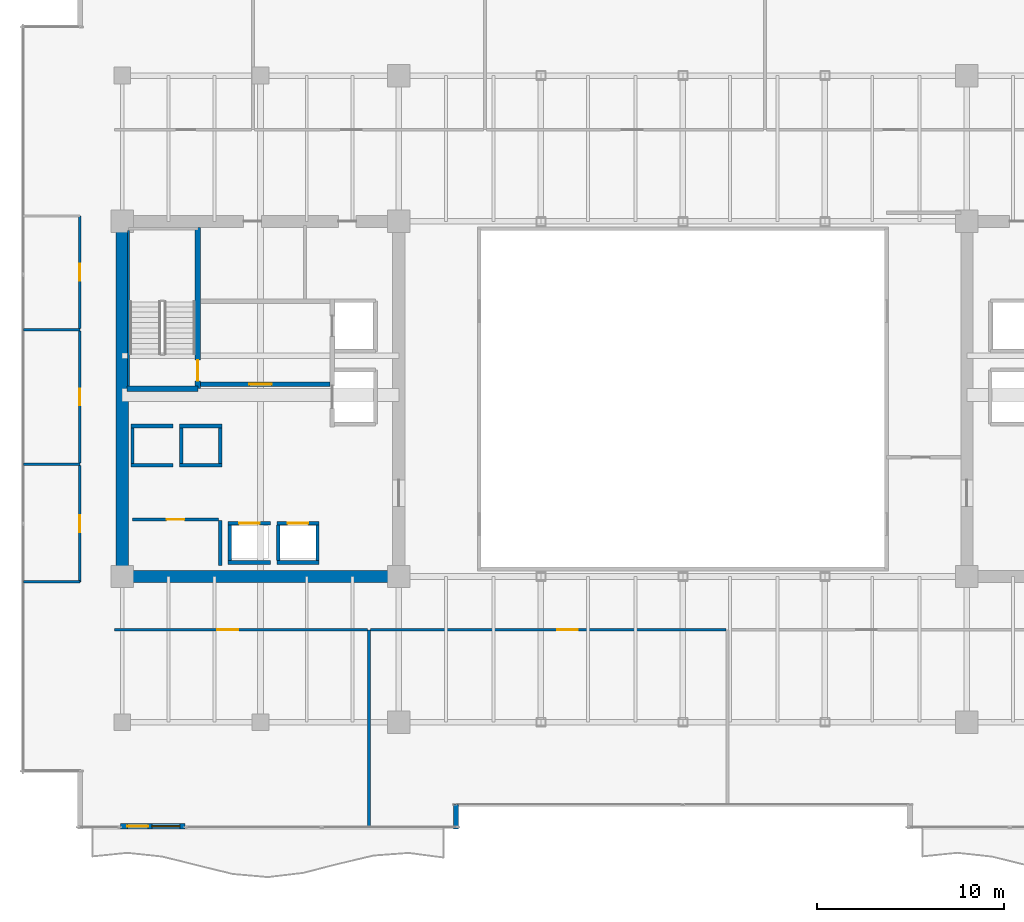
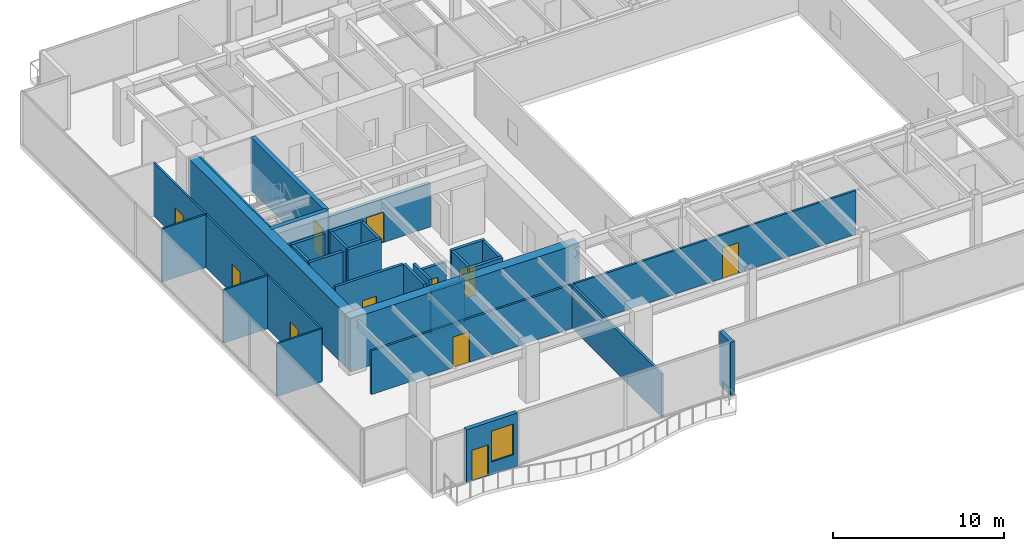
# One storey, part 23 of 30: 33 walls, 11 doors, 1 window, 12 openings.
"""IFC4 building model written with IfcOpenShell, lengths in metres."""

from ifc_helpers import new_model, si_unit, direction, frame, frame_2d, origin, place, context, subcontext, project, spatial, rectangle, extrude, source, transform, mapped, material, layer, layer_set, type_object, type_shapes, element, fill, save


model = new_model("IFC4")

# Units and contexts
model_context = context("Model", 3, precision=1e-05, world=origin(), true_north=direction((0.0, 1.0)))
body_context = subcontext(model_context, "Body", "Model", "MODEL_VIEW")
ifc_project = project(units=[si_unit("LENGTHUNIT", "METRE"), si_unit("AREAUNIT", "SQUARE_METRE"), si_unit("VOLUMEUNIT", "CUBIC_METRE"), si_unit("PLANEANGLEUNIT", "RADIAN"), si_unit("MASSUNIT", "GRAM", prefix="KILO")], contexts=[model_context])

# Site, building, storey
site_placement = place(None, origin())
site = spatial("IfcSite", under=ifc_project, at=site_placement, CompositionType="ELEMENT")
building_placement = place(site_placement, origin())
building = spatial("IfcBuilding", under=site, at=building_placement, Name="Haelvirn Gate Laboratories", CompositionType="ELEMENT")
storey_placement = place(building_placement, frame((0.0, 0.0, 113.300048828125)))
storey = spatial("IfcBuildingStorey", under=building, at=storey_placement, Name="L27", CompositionType="ELEMENT", Elevation=113.300048828125)

# Wall, openings, door, window
ifc_material_1 = material(Name="Thermally-broken bronze aluminium rainscreen & mineral wool", Category="aluminium")
ifc_layer_1 = layer(ifc_material_1, 0.280029296875, Name="EW-TERR-280")
ifc_layer_set_1 = layer_set([ifc_layer_1], Name="Thermally-broken bronze aluminium rainscreen & mineral wool")
wall_type_1 = type_object("IfcWallType", Name="EW-TERR-280", PredefinedType="STANDARD", material=ifc_layer_set_1)
wall_1_placement = place(storey_placement, frame((7.297119140625, 1.43994140625, 0.0), z_axis=(0.0, 0.0, 1.0), x_axis=(1.0, 0.0, 0.0)))
wall_1 = element("IfcWall", 1, at=wall_1_placement, inside=storey, type_object=wall_type_1, Name="L27 Terrace Access Wall WB-WL-S", PredefinedType="STANDARD", context=body_context, shape_type="SweptSolid", body=[
    extrude(rectangle(XDim=3.4609375, YDim=0.280029296875, at=frame_2d((1.73046875, 0.0))), origin(), (0.0, 0.0, 1.0), 3.7900390625),
])
opening_1_placement = place(wall_1_placement, frame((0.383056640625, 0.0, 0.0)))
opening_1 = element("IfcOpeningElement", 2, at=opening_1_placement, cuts=wall_1, Name="Opening TD1", PredefinedType="OPENING", context=body_context, shape_type="SweptSolid", body=[
    extrude(rectangle(XDim=1.10009765625, YDim=2.199951171875, at=frame_2d((0.550048828125, 1.10009765625))), frame((0.0, 0.14990234375, 0.0), z_axis=(0.0, -1.0, 0.0), x_axis=(1.0, 0.0, 0.0)), (0.0, 0.0, 1.0), 0.300048828125),
])
opening_2_placement = place(wall_1_placement, frame((1.68310546875, 0.0, 0.89990234375)))
opening_2 = element("IfcOpeningElement", 3, at=opening_2_placement, cuts=wall_1, Name="Opening W3", PredefinedType="OPENING", context=body_context, shape_type="SweptSolid", body=[
    extrude(rectangle(XDim=1.5, YDim=2.199951171875, at=frame_2d((0.75, 1.10009765625))), frame((0.0, 0.14990234375, 0.0), z_axis=(0.0, -1.0, 0.0), x_axis=(1.0, 0.0, 0.0)), (0.0, 0.0, 1.0), 0.300048828125),
])
ifc_material_2 = material(Name="Thermally-broken bronze aluminium glazed terrace door", Category="aluminium")
door_type_1 = type_object("IfcDoorType", Name="DR-TERR-1100", OperationType="NOTDEFINED", PredefinedType="DOOR", material=ifc_material_2)
shared_shape_1 = source(origin(), body_context, "Body", "SweptSolid", [
    extrude(rectangle(XDim=1.10009765625, YDim=2.199951171875, at=frame_2d((0.550048828125, 1.10009765625))), frame((0.0, 0.02490234375, 0.0), z_axis=(0.0, -1.0, 0.0), x_axis=(1.0, 0.0, 0.0)), (0.0, 0.0, 1.0), 0.050048828125),
])
type_shapes(door_type_1, [shared_shape_1])
door_1_placement = place(opening_1_placement, origin())
door_1 = element("IfcDoor", 4, at=door_1_placement, inside=storey, type_object=door_type_1, Name="L27 Terrace Access Door WB-WL-S", OperationType="SINGLE_SWING_LEFT", OverallHeight=2.199951171875, OverallWidth=1.10009765625, PredefinedType="DOOR", context=body_context, shape_type="MappedRepresentation", body=[
    mapped(shared_shape_1, transform((0.0, 0.0, 0.0), scale=1.0)),
])
fill(opening_1, door_1)
ifc_material_3 = material(Name="Bronze anodised aluminium & triple low-E glass", Category="aluminium")
window_type = type_object("IfcWindowType", Name="WIN-TERR-1600", PartitioningType="SINGLE_PANEL", PredefinedType="WINDOW", material=ifc_material_3)
shared_shape_2 = source(origin(), body_context, "Body", "SweptSolid", [
    extrude(rectangle(XDim=1.5, YDim=2.199951171875, at=frame_2d((0.75, 1.10009765625))), frame((0.0, 0.030029296875, 0.0), z_axis=(0.0, -1.0, 0.0), x_axis=(1.0, 0.0, 0.0)), (0.0, 0.0, 1.0), 0.06005859375),
])
type_shapes(window_type, [shared_shape_2])
window_placement = place(opening_2_placement, origin())
window = element("IfcWindow", 5, at=window_placement, inside=storey, type_object=window_type, Name="L27 Terrace Vision Window WB-WL-S", OverallHeight=2.199951171875, OverallWidth=1.5, PartitioningType="SINGLE_PANEL", PredefinedType="WINDOW", context=body_context, shape_type="MappedRepresentation", body=[
    mapped(shared_shape_2, transform((0.0, 0.0, 0.0), scale=1.0)),
])
fill(opening_2, window)

# Walls
wall_2_placement = place(storey_placement, frame((25.260009765625, 1.300048828125, 0.0), z_axis=(0.0, 0.0, 1.0), x_axis=(0.0, 1.0, 0.0)))
element("IfcWall", 6, at=wall_2_placement, inside=storey, type_object=wall_type_1, Name="L27 Atrium Recess Bronze Return Wall 01", PredefinedType="STANDARD", context=body_context, shape_type="SweptSolid", body=[
    extrude(rectangle(XDim=1.287841796875, YDim=0.280029296875, at=frame_2d((0.64404296875, 0.0))), origin(), (0.0, 0.0, 1.0), 3.7900390625),
])
ifc_material_4 = material(Name="Double-layer acoustic gypsum laboratory partition", Category="gypsum")
ifc_layer_2 = layer(ifc_material_4, 0.159912109375, Name="IW-ACOUST-160")
ifc_layer_set_2 = layer_set([ifc_layer_2], Name="Double-layer acoustic gypsum laboratory partition")
wall_type_2 = type_object("IfcWallType", Name="IW-ACOUST-160", PredefinedType="PARTITIONING", material=ifc_layer_set_2)
wall_3_placement = place(storey_placement, frame((20.60009765625, 1.409912109375, 0.0), z_axis=(0.0, 0.0, 1.0), x_axis=(0.0, 1.0, 0.0)))
element("IfcWall", 7, at=wall_3_placement, inside=storey, type_object=wall_type_2, Name="L27 Interior Wall IW-L27-SDIV-01", PredefinedType="PARTITIONING", context=body_context, shape_type="SweptSolid", body=[
    extrude(rectangle(XDim=10.530029296875, YDim=0.159912109375, at=frame_2d((5.26513671875, 0.0))), origin(), (0.0, 0.0, 1.0), 3.074951171875),
])
ifc_material_5 = material(Name="Lightweight acoustic gypsum board partition", Category="gypsum")
ifc_layer_3 = layer(ifc_material_5, 0.1201171875, Name="IW-PART-120")
ifc_layer_set_3 = layer_set([ifc_layer_3], Name="Lightweight acoustic gypsum board partition")
wall_type_3 = type_object("IfcWallType", Name="IW-PART-120", PredefinedType="PARTITIONING", material=ifc_layer_set_3)
wall_4_placement = place(storey_placement, frame((2.110107421875, 14.514892578125, 0.0), z_axis=(0.0, 0.0, 1.0), x_axis=(1.0, 0.0, 0.0)))
element("IfcWall", 8, at=wall_4_placement, inside=storey, type_object=wall_type_3, Name="L27 Interior Wall IW-L27-WCAP-S", PredefinedType="PARTITIONING", context=body_context, shape_type="SweptSolid", body=[
    extrude(rectangle(XDim=3.019775390625, YDim=0.1201171875, at=frame_2d((1.509765625, 0.0))), origin(), (0.0, 0.0, 1.0), 3.7900390625),
])

# Wall, opening, door
wall_5_placement = place(storey_placement, frame((5.1298828125, 14.514892578125, 0.0), z_axis=(0.0, 0.0, 1.0), x_axis=(0.0, 1.0, 0.0)))
wall_5 = element("IfcWall", 9, at=wall_5_placement, inside=storey, type_object=wall_type_3, Name="L27 Interior Wall IW-L27-WPASS-01", PredefinedType="PARTITIONING", context=body_context, shape_type="SweptSolid", body=[
    extrude(rectangle(XDim=6.22509765625, YDim=0.1201171875, at=frame_2d((3.112548828125, 0.0))), origin(), (0.0, 0.0, 1.0), 3.7900390625),
])
opening_3_placement = place(wall_5_placement, frame((2.66259765625, 0.0, 0.0)))
opening_3 = element("IfcOpeningElement", 10, at=opening_3_placement, cuts=wall_5, Name="Opening D4", PredefinedType="OPENING", context=body_context, shape_type="SweptSolid", body=[
    extrude(rectangle(XDim=0.89990234375, YDim=2.10009765625, at=frame_2d((0.449951171875, 1.050048828125))), frame((0.0, 0.070068359375, 0.0), z_axis=(0.0, -1.0, 0.0), x_axis=(1.0, 0.0, 0.0)), (0.0, 0.0, 1.0), 0.14013671875),
])
ifc_material_6 = material(Name="Glazed aluminium-framed write-up door", Category="aluminium")
door_type_2 = type_object("IfcDoorType", Name="DR-OFF-900", OperationType="NOTDEFINED", PredefinedType="DOOR", material=ifc_material_6)
shared_shape_3 = source(origin(), body_context, "Body", "SweptSolid", [
    extrude(rectangle(XDim=0.89990234375, YDim=2.10009765625, at=frame_2d((0.449951171875, 1.050048828125))), frame((0.0, 0.02490234375, 0.0), z_axis=(0.0, -1.0, 0.0), x_axis=(1.0, 0.0, 0.0)), (0.0, 0.0, 1.0), 0.050048828125),
])
type_shapes(door_type_2, [shared_shape_3])
door_2_placement = place(opening_3_placement, origin())
door_2 = element("IfcDoor", 11, at=door_2_placement, inside=storey, type_object=door_type_2, Name="L27 Researcher Break Pantry Door W1", OperationType="SINGLE_SWING_LEFT", OverallHeight=2.10009765625, OverallWidth=0.89990234375, PredefinedType="DOOR", context=body_context, shape_type="MappedRepresentation", body=[
    mapped(shared_shape_3, transform((0.0, 0.0, 0.0), scale=1.0)),
])
fill(opening_3, door_2)

# Wall
wall_6_placement = place(storey_placement, frame((2.110107421875, 20.800048828125, 0.0), z_axis=(0.0, 0.0, 1.0), x_axis=(1.0, 0.0, 0.0)))
element("IfcWall", 12, at=wall_6_placement, inside=storey, type_object=wall_type_3, Name="L27 Interior Wall IW-L27-WDIV-01", PredefinedType="PARTITIONING", context=body_context, shape_type="SweptSolid", body=[
    extrude(rectangle(XDim=3.019775390625, YDim=0.1201171875, at=frame_2d((1.509765625, 0.0))), origin(), (0.0, 0.0, 1.0), 3.7900390625),
])

# Wall, opening, door
wall_7_placement = place(storey_placement, frame((5.1298828125, 20.860107421875, 0.0), z_axis=(0.0, 0.0, 1.0), x_axis=(0.0, 1.0, 0.0)))
wall_7 = element("IfcWall", 13, at=wall_7_placement, inside=storey, type_object=wall_type_3, Name="L27 Interior Wall IW-L27-WPASS-02", PredefinedType="PARTITIONING", context=body_context, shape_type="SweptSolid", body=[
    extrude(rectangle(XDim=7.079833984375, YDim=0.1201171875, at=frame_2d((3.5400390625, 0.0))), origin(), (0.0, 0.0, 1.0), 3.7900390625),
])
opening_4_placement = place(wall_7_placement, frame((3.090087890625, 0.0, 0.0)))
opening_4 = element("IfcOpeningElement", 14, at=opening_4_placement, cuts=wall_7, Name="Opening D4", PredefinedType="OPENING", context=body_context, shape_type="SweptSolid", body=[
    extrude(rectangle(XDim=0.89990234375, YDim=2.10009765625, at=frame_2d((0.449951171875, 1.050048828125))), frame((0.0, 0.070068359375, 0.0), z_axis=(0.0, -1.0, 0.0), x_axis=(1.0, 0.0, 0.0)), (0.0, 0.0, 1.0), 0.14013671875),
])
door_3_placement = place(opening_4_placement, origin())
door_3 = element("IfcDoor", 15, at=door_3_placement, inside=storey, type_object=door_type_2, Name="L27 Proteomics Mass-Spec Laboratory Door W2", OperationType="SINGLE_SWING_RIGHT", OverallHeight=2.10009765625, OverallWidth=0.89990234375, PredefinedType="DOOR", context=body_context, shape_type="MappedRepresentation", body=[
    mapped(shared_shape_3, transform((0.0, 0.0, 0.0), scale=1.0)),
])
fill(opening_4, door_3)

# Wall
wall_8_placement = place(storey_placement, frame((2.110107421875, 28.0, 0.0), z_axis=(0.0, 0.0, 1.0), x_axis=(1.0, 0.0, 0.0)))
element("IfcWall", 16, at=wall_8_placement, inside=storey, type_object=wall_type_3, Name="L27 Interior Wall IW-L27-WDIV-02", PredefinedType="PARTITIONING", context=body_context, shape_type="SweptSolid", body=[
    extrude(rectangle(XDim=3.019775390625, YDim=0.1201171875, at=frame_2d((1.509765625, 0.0))), origin(), (0.0, 0.0, 1.0), 3.7900390625),
])

# Wall, opening, door
wall_9_placement = place(storey_placement, frame((5.1298828125, 28.06005859375, 0.0), z_axis=(0.0, 0.0, 1.0), x_axis=(0.0, 1.0, 0.0)))
wall_9 = element("IfcWall", 17, at=wall_9_placement, inside=storey, type_object=wall_type_3, Name="L27 Interior Wall IW-L27-WPASS-03", PredefinedType="PARTITIONING", context=body_context, shape_type="SweptSolid", body=[
    extrude(rectangle(XDim=6.02490234375, YDim=0.1201171875, at=frame_2d((3.012451171875, 0.0))), origin(), (0.0, 0.0, 1.0), 3.7900390625),
])
opening_5_placement = place(wall_9_placement, frame((2.5625, 0.0, 0.0)))
opening_5 = element("IfcOpeningElement", 18, at=opening_5_placement, cuts=wall_9, Name="Opening D4", PredefinedType="OPENING", context=body_context, shape_type="SweptSolid", body=[
    extrude(rectangle(XDim=0.89990234375, YDim=2.10009765625, at=frame_2d((0.449951171875, 1.050048828125))), frame((0.0, 0.070068359375, 0.0), z_axis=(0.0, -1.0, 0.0), x_axis=(1.0, 0.0, 0.0)), (0.0, 0.0, 1.0), 0.14013671875),
])
door_4_placement = place(opening_5_placement, origin())
door_4 = element("IfcDoor", 19, at=door_4_placement, inside=storey, type_object=door_type_2, Name="L27 Chemical Synthesis Laboratory Door W3", OperationType="SINGLE_SWING_LEFT", OverallHeight=2.10009765625, OverallWidth=0.89990234375, PredefinedType="DOOR", context=body_context, shape_type="MappedRepresentation", body=[
    mapped(shared_shape_3, transform((0.0, 0.0, 0.0), scale=1.0)),
])
fill(opening_5, door_4)

ifc_material_7 = material(Name="Acoustic mineral-wool gypsum board partition", Category="gypsum")
ifc_layer_4 = layer(ifc_material_7, 0.139892578125, Name="IW-PART-140")
ifc_layer_set_4 = layer_set([ifc_layer_4], Name="Acoustic mineral-wool gypsum board partition")
wall_type_4 = type_object("IfcWallType", Name="IW-PART-140", PredefinedType="PARTITIONING", material=ifc_layer_set_4)
wall_10_placement = place(storey_placement, frame((6.97998046875, 11.93994140625, 0.0), z_axis=(0.0, 0.0, 1.0), x_axis=(1.0, 0.0, 0.0)))
wall_10 = element("IfcWall", 20, at=wall_10_placement, inside=storey, type_object=wall_type_4, Name="L27 Interior Wall IW-L27-SCORR-01", PredefinedType="PARTITIONING", context=body_context, shape_type="SweptSolid", body=[
    extrude(rectangle(XDim=13.5400390625, YDim=0.139892578125, at=frame_2d((6.77001953125, 0.0))), origin(), (0.0, 0.0, 1.0), 3.125),
])
opening_6_placement = place(wall_10_placement, frame((5.515625, 0.0, 0.0)))
opening_6 = element("IfcOpeningElement", 21, at=opening_6_placement, cuts=wall_10, Name="Opening D1", PredefinedType="OPENING", context=body_context, shape_type="SweptSolid", body=[
    extrude(rectangle(XDim=1.10009765625, YDim=2.179931640625, at=frame_2d((0.550048828125, 1.08984375))), frame((0.0, 0.080078125, 0.0), z_axis=(0.0, -1.0, 0.0), x_axis=(1.0, 0.0, 0.0)), (0.0, 0.0, 1.0), 0.159912109375),
])
ifc_material_8 = material(Name="Vision-panel acoustic solid-core timber lab door", Category="wood")
door_type_3 = type_object("IfcDoorType", Name="DR-LAB-1100", OperationType="NOTDEFINED", PredefinedType="DOOR", material=ifc_material_8)
shared_shape_4 = source(origin(), body_context, "Body", "SweptSolid", [
    extrude(rectangle(XDim=1.10009765625, YDim=2.179931640625, at=frame_2d((0.550048828125, 1.08984375))), frame((0.0, 0.02490234375, 0.0), z_axis=(0.0, -1.0, 0.0), x_axis=(1.0, 0.0, 0.0)), (0.0, 0.0, 1.0), 0.050048828125),
])
type_shapes(door_type_3, [shared_shape_4])
door_5_placement = place(opening_6_placement, origin())
door_5 = element("IfcDoor", 22, at=door_5_placement, inside=storey, type_object=door_type_3, Name="L27 Bioinformatics Dry-Lab Workspace Door S1", OperationType="SINGLE_SWING_RIGHT", OverallHeight=2.179931640625, OverallWidth=1.10009765625, PredefinedType="DOOR", context=body_context, shape_type="MappedRepresentation", body=[
    mapped(shared_shape_4, transform((0.0, 0.0, 0.0), scale=1.0)),
])
fill(opening_6, door_5)

wall_11_placement = place(storey_placement, frame((20.679931640625, 11.93994140625, 0.0), z_axis=(0.0, 0.0, 1.0), x_axis=(1.0, 0.0, 0.0)))
wall_11 = element("IfcWall", 23, at=wall_11_placement, inside=storey, type_object=wall_type_4, Name="L27 Interior Wall IW-L27-SCORR-02", PredefinedType="PARTITIONING", context=body_context, shape_type="SweptSolid", body=[
    extrude(rectangle(XDim=19.0400390625, YDim=0.139892578125, at=frame_2d((9.52001953125, 0.0))), origin(), (0.0, 0.0, 1.0), 3.125),
])
opening_7_placement = place(wall_11_placement, frame((10.00439453125, 0.0, 0.0)))
opening_7 = element("IfcOpeningElement", 24, at=opening_7_placement, cuts=wall_11, Name="Opening D1", PredefinedType="OPENING", context=body_context, shape_type="SweptSolid", body=[
    extrude(rectangle(XDim=1.10009765625, YDim=2.179931640625, at=frame_2d((0.550048828125, 1.08984375))), frame((0.0, 0.080078125, 0.0), z_axis=(0.0, -1.0, 0.0), x_axis=(1.0, 0.0, 0.0)), (0.0, 0.0, 1.0), 0.159912109375),
])
door_6_placement = place(opening_7_placement, origin())
door_6 = element("IfcDoor", 25, at=door_6_placement, inside=storey, type_object=door_type_3, Name="L27 Translational Data Office Door S2", OperationType="SINGLE_SWING_LEFT", OverallHeight=2.179931640625, OverallWidth=1.10009765625, PredefinedType="DOOR", context=body_context, shape_type="MappedRepresentation", body=[
    mapped(shared_shape_4, transform((0.0, 0.0, 0.0), scale=1.0)),
])
fill(opening_7, door_6)

# Walls
ifc_material_9 = material(Name="Concrete C40/50", Category="concrete")
ifc_layer_5 = layer(ifc_material_9, 0.179931640625, Name="IW-SHAFT-180")
ifc_layer_set_5 = layer_set([ifc_layer_5], Name="Concrete C40/50")
wall_type_5 = type_object("IfcWallType", Name="IW-SHAFT-180", PredefinedType="SOLIDWALL", material=ifc_layer_set_5)
for number, where, z_axis, x_axis, name in (
    (26, (13.14990234375, 15.64990234375, 0.0), (0.0, 0.0, 1.0), (0.0, 1.0, 0.0), "L27 Interior Wall IW-L27-PL5-SD"),
    (27, (15.75, 15.64990234375, 0.0), (0.0, 0.0, 1.0), (0.0, 1.0, 0.0), "L27 Interior Wall IW-L27-PL6-SD"),
    (28, (17.85009765625, 15.64990234375, 0.0), (0.0, 0.0, 1.0), (0.0, 1.0, 0.0), "L27 Interior Wall IW-L27-PL6-SDE"),
):
    element("IfcWall", number, at=place(storey_placement, frame(where, z_axis=z_axis, x_axis=x_axis)), inside=storey, type_object=wall_type_5, Name=name, PredefinedType="SOLIDWALL", context=body_context, shape_type="SweptSolid", body=[
        extrude(rectangle(XDim=1.900146484375, YDim=0.179931640625, at=frame_2d((0.9501953125, 0.0))), origin(), (0.0, 0.0, 1.0), 3.7900390625),
    ])
for number, where, z_axis, x_axis, name in (
    (29, (7.949951171875, 20.85009765625, 0.0), (0.0, 0.0, 1.0), (0.0, 1.0, 0.0), "L27 Interior Wall IW-L27-PL9-SD"),
    (30, (10.550048828125, 20.85009765625, 0.0), (0.0, 0.0, 1.0), (0.0, 1.0, 0.0), "L27 Interior Wall IW-L27-PL10-SD"),
    (31, (12.64990234375, 20.85009765625, 0.0), (0.0, 0.0, 1.0), (0.0, 1.0, 0.0), "L27 Interior Wall IW-L27-PL10-SDE"),
):
    element("IfcWall", number, at=place(storey_placement, frame(where, z_axis=z_axis, x_axis=x_axis)), inside=storey, type_object=wall_type_5, Name=name, PredefinedType="SOLIDWALL", context=body_context, shape_type="SweptSolid", body=[
        extrude(rectangle(XDim=1.89990234375, YDim=0.179931640625, at=frame_2d((0.949951171875, 0.0))), origin(), (0.0, 0.0, 1.0), 3.7900390625),
    ])

# Wall, opening, door
wall_12_placement = place(storey_placement, frame((7.949951171875, 17.85009765625, 0.0), z_axis=(0.0, 0.0, 1.0), x_axis=(1.0, 0.0, 0.0)))
wall_12 = element("IfcWall", 32, at=wall_12_placement, inside=storey, type_object=wall_type_5, Name="L27 Interior Wall IW-L27-W-FREED-LN-1", PredefinedType="SOLIDWALL", context=body_context, shape_type="SweptSolid", body=[
    extrude(rectangle(XDim=4.60009765625, YDim=0.179931640625, at=frame_2d((2.300048828125, 0.0))), origin(), (0.0, 0.0, 1.0), 3.7900390625),
])
opening_8_placement = place(wall_12_placement, frame((1.824951171875, 0.0, 0.0)))
opening_8 = element("IfcOpeningElement", 33, at=opening_8_placement, cuts=wall_12, Name="Opening FD4", PredefinedType="OPENING", context=body_context, shape_type="SweptSolid", body=[
    extrude(rectangle(XDim=0.949951171875, YDim=2.14990234375, at=frame_2d((0.47509765625, 1.074951171875))), frame((0.0, 0.10009765625, 0.0), z_axis=(0.0, -1.0, 0.0), x_axis=(1.0, 0.0, 0.0)), (0.0, 0.0, 1.0), 0.199951171875),
])
ifc_material_10 = material(Name="Fire-rated steel SM355 core service door", Category="steel")
door_type_4 = type_object("IfcDoorType", Name="DR-FD-950", OperationType="NOTDEFINED", PredefinedType="DOOR", material=ifc_material_10)
shared_shape_5 = source(origin(), body_context, "Body", "SweptSolid", [
    extrude(rectangle(XDim=0.949951171875, YDim=2.14990234375, at=frame_2d((0.47509765625, 1.074951171875))), frame((0.0, 0.02490234375, 0.0), z_axis=(0.0, -1.0, 0.0), x_axis=(1.0, 0.0, 0.0)), (0.0, 0.0, 1.0), 0.050048828125),
])
type_shapes(door_type_4, [shared_shape_5])
door_7_placement = place(opening_8_placement, origin())
door_7 = element("IfcDoor", 34, at=door_7_placement, inside=storey, type_object=door_type_4, Name="L27 Cryogenic Specimen Biobank Door", OperationType="SINGLE_SWING_LEFT", OverallHeight=2.14990234375, OverallWidth=0.949951171875, PredefinedType="DOOR", context=body_context, shape_type="MappedRepresentation", body=[
    mapped(shared_shape_5, transform((0.0, 0.0, 0.0), scale=1.0)),
])
fill(opening_8, door_7)

# Wall
wall_13_placement = place(storey_placement, frame((12.639892578125, 15.39990234375, 0.0), z_axis=(0.0, 0.0, 1.0), x_axis=(0.0, 1.0, 0.0)))
element("IfcWall", 35, at=wall_13_placement, inside=storey, type_object=wall_type_5, Name="L27 Interior Wall IW-L27-W-FREED-LE-1", PredefinedType="SOLIDWALL", context=body_context, shape_type="SweptSolid", body=[
    extrude(rectangle(XDim=2.400146484375, YDim=0.179931640625, at=frame_2d((1.2001953125, 0.0))), origin(), (0.0, 0.0, 1.0), 3.7900390625),
])

# Wall, opening, door
ifc_layer_6 = layer(ifc_material_9, 0.199951171875, Name="IW-SHAFT-200")
ifc_layer_set_6 = layer_set([ifc_layer_6], Name="Concrete C40/50")
wall_type_6 = type_object("IfcWallType", Name="IW-SHAFT-200", PredefinedType="SOLIDWALL", material=ifc_layer_set_6)
wall_14_placement = place(storey_placement, frame((13.070068359375, 17.64990234375, 0.0), z_axis=(0.0, 0.0, 1.0), x_axis=(1.0, 0.0, 0.0)))
wall_14 = element("IfcWall", 36, at=wall_14_placement, inside=storey, type_object=wall_type_6, Name="L27 Interior Wall IW-L27-PL5-FR", PredefinedType="SOLIDWALL", context=body_context, shape_type="SweptSolid", body=[
    extrude(rectangle(XDim=2.260009765625, YDim=0.199951171875, at=frame_2d((1.1298828125, 0.0))), origin(), (0.0, 0.0, 1.0), 3.125),
])
opening_9_placement = place(wall_14_placement, frame((0.580078125, 0.0, 0.0)))
opening_9 = element("IfcOpeningElement", 37, at=opening_9_placement, cuts=wall_14, Name="Opening LD2", PredefinedType="OPENING", context=body_context, shape_type="SweptSolid", body=[
    extrude(rectangle(XDim=1.10009765625, YDim=2.219970703125, at=frame_2d((0.550048828125, 1.10986328125))), frame((0.0, 0.10986328125, 0.0), z_axis=(0.0, -1.0, 0.0), x_axis=(1.0, 0.0, 0.0)), (0.0, 0.0, 1.0), 0.219970703125),
])
ifc_material_11 = material(Name="Bronze stainless 316L sliding lift landing door")
door_type_5 = type_object("IfcDoorType", Name="DR-LD-1100", OperationType="NOTDEFINED", PredefinedType="USERDEFINED", material=ifc_material_11)
shared_shape_6 = source(origin(), body_context, "Body", "SweptSolid", [
    extrude(rectangle(XDim=1.10009765625, YDim=2.219970703125, at=frame_2d((0.550048828125, 1.10986328125))), frame((0.0, 0.02490234375, 0.0), z_axis=(0.0, -1.0, 0.0), x_axis=(1.0, 0.0, 0.0)), (0.0, 0.0, 1.0), 0.050048828125),
])
type_shapes(door_type_5, [shared_shape_6])
door_8_placement = place(opening_9_placement, origin())
door_8 = element("IfcDoor", 38, at=door_8_placement, inside=storey, type_object=door_type_5, Name="L27 Passenger Lift PL5 Landing Door", ObjectType="LANDING_DOOR", OperationType="SLIDING_TO_LEFT", OverallHeight=2.219970703125, OverallWidth=1.10009765625, PredefinedType="USERDEFINED", context=body_context, shape_type="MappedRepresentation", body=[
    mapped(shared_shape_6, transform((0.0, 0.0, 0.0), scale=1.0)),
])
fill(opening_9, door_8)

# Wall
wall_15_placement = place(storey_placement, frame((13.070068359375, 15.550048828125, 0.0), z_axis=(0.0, 0.0, 1.0), x_axis=(1.0, 0.0, 0.0)))
element("IfcWall", 39, at=wall_15_placement, inside=storey, type_object=wall_type_6, Name="L27 Interior Wall IW-L27-PL5-BK", PredefinedType="SOLIDWALL", context=body_context, shape_type="SweptSolid", body=[
    extrude(rectangle(XDim=2.260009765625, YDim=0.199951171875, at=frame_2d((1.1298828125, 0.0))), origin(), (0.0, 0.0, 1.0), 3.125),
])

# Wall, opening, door
wall_16_placement = place(storey_placement, frame((15.669921875, 17.64990234375, 0.0), z_axis=(0.0, 0.0, 1.0), x_axis=(1.0, 0.0, 0.0)))
wall_16 = element("IfcWall", 40, at=wall_16_placement, inside=storey, type_object=wall_type_6, Name="L27 Interior Wall IW-L27-PL6-FR", PredefinedType="SOLIDWALL", context=body_context, shape_type="SweptSolid", body=[
    extrude(rectangle(XDim=2.260009765625, YDim=0.199951171875, at=frame_2d((1.1298828125, 0.0))), origin(), (0.0, 0.0, 1.0), 3.7900390625),
])
opening_10_placement = place(wall_16_placement, frame((0.580078125, 0.0, 0.0)))
opening_10 = element("IfcOpeningElement", 41, at=opening_10_placement, cuts=wall_16, Name="Opening LD2", PredefinedType="OPENING", context=body_context, shape_type="SweptSolid", body=[
    extrude(rectangle(XDim=1.10009765625, YDim=2.219970703125, at=frame_2d((0.550048828125, 1.10986328125))), frame((0.0, 0.10986328125, 0.0), z_axis=(0.0, -1.0, 0.0), x_axis=(1.0, 0.0, 0.0)), (0.0, 0.0, 1.0), 0.219970703125),
])
door_9_placement = place(opening_10_placement, origin())
door_9 = element("IfcDoor", 42, at=door_9_placement, inside=storey, type_object=door_type_5, Name="L27 Passenger Lift PL6 Landing Door", ObjectType="LANDING_DOOR", OperationType="SLIDING_TO_RIGHT", OverallHeight=2.219970703125, OverallWidth=1.10009765625, PredefinedType="USERDEFINED", context=body_context, shape_type="MappedRepresentation", body=[
    mapped(shared_shape_6, transform((0.0, 0.0, 0.0), scale=1.0)),
])
fill(opening_10, door_9)

# Walls
wall_17_placement = place(storey_placement, frame((15.669921875, 15.550048828125, 0.0), z_axis=(0.0, 0.0, 1.0), x_axis=(1.0, 0.0, 0.0)))
element("IfcWall", 43, at=wall_17_placement, inside=storey, type_object=wall_type_6, Name="L27 Interior Wall IW-L27-PL6-BK", PredefinedType="SOLIDWALL", context=body_context, shape_type="SweptSolid", body=[
    extrude(rectangle(XDim=2.260009765625, YDim=0.199951171875, at=frame_2d((1.1298828125, 0.0))), origin(), (0.0, 0.0, 1.0), 3.7900390625),
])
for number, where, z_axis, x_axis, name in (
    (44, (7.8701171875, 20.75, 0.0), (0.0, 0.0, 1.0), (1.0, 0.0, 0.0), "L27 Interior Wall IW-L27-PL9-FR"),
    (45, (7.8701171875, 22.85009765625, 0.0), (0.0, 0.0, 1.0), (1.0, 0.0, 0.0), "L27 Interior Wall IW-L27-PL9-BK"),
):
    element("IfcWall", number, at=place(storey_placement, frame(where, z_axis=z_axis, x_axis=x_axis)), inside=storey, type_object=wall_type_6, Name=name, PredefinedType="SOLIDWALL", context=body_context, shape_type="SweptSolid", body=[
        extrude(rectangle(XDim=2.259765625, YDim=0.199951171875, at=frame_2d((1.1298828125, 0.0))), origin(), (0.0, 0.0, 1.0), 3.7900390625),
    ])
for number, where, z_axis, x_axis, name in (
    (46, (10.469970703125, 20.75, 0.0), (0.0, 0.0, 1.0), (1.0, 0.0, 0.0), "L27 Interior Wall IW-L27-PL10-FR"),
    (47, (10.469970703125, 22.85009765625, 0.0), (0.0, 0.0, 1.0), (1.0, 0.0, 0.0), "L27 Interior Wall IW-L27-PL10-BK"),
):
    element("IfcWall", number, at=place(storey_placement, frame(where, z_axis=z_axis, x_axis=x_axis)), inside=storey, type_object=wall_type_6, Name=name, PredefinedType="SOLIDWALL", context=body_context, shape_type="SweptSolid", body=[
        extrude(rectangle(XDim=2.260009765625, YDim=0.199951171875, at=frame_2d((1.1298828125, 0.0))), origin(), (0.0, 0.0, 1.0), 3.7900390625),
    ])

# Wall, opening, door
ifc_layer_7 = layer(ifc_material_9, 0.239990234375, Name="IW-SHAFT-240")
ifc_layer_set_7 = layer_set([ifc_layer_7], Name="Concrete C40/50")
wall_type_7 = type_object("IfcWallType", Name="IW-SHAFT-240", PredefinedType="SOLIDWALL", material=ifc_layer_set_7)
wall_18_placement = place(storey_placement, frame((11.60009765625, 25.080078125, 0.0), z_axis=(0.0, 0.0, 1.0), x_axis=(1.0, 0.0, 0.0)))
wall_18 = element("IfcWall", 48, at=wall_18_placement, inside=storey, type_object=wall_type_7, Name="L27 Interior Wall IW-L27-W-FF-S", PredefinedType="SOLIDWALL", context=body_context, shape_type="SweptSolid", body=[
    extrude(rectangle(XDim=6.919921875, YDim=0.239990234375, at=frame_2d((3.4599609375, 0.0))), origin(), (0.0, 0.0, 1.0), 3.125),
])
opening_11_placement = place(wall_18_placement, frame((2.60009765625, 0.0, 0.0)))
opening_11 = element("IfcOpeningElement", 49, at=opening_11_placement, cuts=wall_18, Name="Opening FD2", PredefinedType="OPENING", context=body_context, shape_type="SweptSolid", body=[
    extrude(rectangle(XDim=1.199951171875, YDim=2.159912109375, at=frame_2d((0.60009765625, 1.080078125))), frame((0.0, 0.1298828125, 0.0), z_axis=(0.0, -1.0, 0.0), x_axis=(1.0, 0.0, 0.0)), (0.0, 0.0, 1.0), 0.260009765625),
])
ifc_material_12 = material(Name="Fire-rated steel SM355 compartment door", Category="steel")
door_type_6 = type_object("IfcDoorType", Name="DR-FD-1200", OperationType="NOTDEFINED", PredefinedType="DOOR", material=ifc_material_12)
shared_shape_7 = source(origin(), body_context, "Body", "SweptSolid", [
    extrude(rectangle(XDim=1.199951171875, YDim=2.159912109375, at=frame_2d((0.60009765625, 1.080078125))), frame((0.0, 0.02490234375, 0.0), z_axis=(0.0, -1.0, 0.0), x_axis=(1.0, 0.0, 0.0)), (0.0, 0.0, 1.0), 0.050048828125),
])
type_shapes(door_type_6, [shared_shape_7])
door_10_placement = place(opening_11_placement, origin())
door_10 = element("IfcDoor", 50, at=door_10_placement, inside=storey, type_object=door_type_6, Name="L27 West Firefighting Lobby Door", OperationType="SINGLE_SWING_RIGHT", OverallHeight=2.159912109375, OverallWidth=1.199951171875, PredefinedType="DOOR", context=body_context, shape_type="MappedRepresentation", body=[
    mapped(shared_shape_7, transform((0.0, 0.0, 0.0), scale=1.0)),
])
fill(opening_11, door_10)

# Walls
ifc_material_13 = material(Name="Concrete C60/75", Category="concrete")
ifc_layer_8 = layer(ifc_material_13, 0.64990234375, Name="SW-CORE-650")
ifc_layer_set_8 = layer_set([ifc_layer_8], Name="Concrete C60/75")
wall_type_8 = type_object("IfcWallType", Name="SW-CORE-650", PredefinedType="SHEAR", material=ifc_layer_set_8)
wall_19_placement = place(storey_placement, frame((7.074951171875, 14.800048828125, 0.0), z_axis=(0.0, 0.0, 1.0), x_axis=(1.0, 0.0, 0.0)))
element("IfcWall", 51, at=wall_19_placement, inside=storey, type_object=wall_type_8, Name="L27 W Core Shear Wall S", PredefinedType="SHEAR", context=body_context, shape_type="SweptSolid", body=[
    extrude(rectangle(XDim=15.449951171875, YDim=0.64990234375, at=frame_2d((7.72509765625, 0.0))), origin(), (0.0, 0.0, 1.0), 3.7900390625),
])
wall_20_placement = place(storey_placement, frame((7.39990234375, 15.125, 0.0), z_axis=(0.0, 0.0, 1.0), x_axis=(0.0, 1.0, 0.0)))
element("IfcWall", 52, at=wall_20_placement, inside=storey, type_object=wall_type_8, Name="L27 W Core Shear Wall W", PredefinedType="SHEAR", context=body_context, shape_type="SweptSolid", body=[
    extrude(rectangle(XDim=18.35009765625, YDim=0.64990234375, at=frame_2d((9.175048828125, 0.0))), origin(), (0.0, 0.0, 1.0), 3.7900390625),
])
ifc_material_14 = material(Name="Concrete C50/60", Category="concrete")
ifc_layer_9 = layer(ifc_material_14, 0.1201171875, Name="SW-LINER-120")
ifc_layer_set_9 = layer_set([ifc_layer_9], Name="Concrete C50/60")
wall_type_9 = type_object("IfcWallType", Name="SW-LINER-120", PredefinedType="SOLIDWALL", material=ifc_layer_set_9)
wall_21_placement = place(storey_placement, frame((7.72998046875, 25.0, 0.0), z_axis=(0.0, 0.0, 1.0), x_axis=(0.0, 1.0, 0.0)))
element("IfcWall", 53, at=wall_21_placement, inside=storey, type_object=wall_type_9, Name="L27 W Core Stair Shaft Liner Wall OUT", PredefinedType="SOLIDWALL", context=body_context, shape_type="SweptSolid", body=[
    extrude(rectangle(XDim=8.320068359375, YDim=0.1201171875, at=frame_2d((4.16015625, 0.0))), origin(), (0.0, 0.0, 1.0), 3.7900390625),
])

# Wall, opening, door
ifc_layer_10 = layer(ifc_material_14, 0.300048828125, Name="SW-STAIR-300")
ifc_layer_set_10 = layer_set([ifc_layer_10], Name="Concrete C50/60")
wall_type_10 = type_object("IfcWallType", Name="SW-STAIR-300", PredefinedType="SHEAR", material=ifc_layer_set_10)
wall_22_placement = place(storey_placement, frame((11.449951171875, 24.85009765625, 0.0), z_axis=(0.0, 0.0, 1.0), x_axis=(0.0, 1.0, 0.0)))
wall_22 = element("IfcWall", 54, at=wall_22_placement, inside=storey, type_object=wall_type_10, Name="L27 W Core Stair Shaft Structural Wall IN", PredefinedType="SHEAR", context=body_context, shape_type="SweptSolid", body=[
    extrude(rectangle(XDim=8.6298828125, YDim=0.300048828125, at=frame_2d((4.31494140625, 0.0))), origin(), (0.0, 0.0, 1.0), 3.7900390625),
])
opening_12_placement = place(wall_22_placement, frame((0.419921875, 0.0, 0.0)))
opening_12 = element("IfcOpeningElement", 55, at=opening_12_placement, cuts=wall_22, Name="Opening FD3", PredefinedType="OPENING", context=body_context, shape_type="SweptSolid", body=[
    extrude(rectangle(XDim=1.10009765625, YDim=2.14990234375, at=frame_2d((0.550048828125, 1.074951171875))), frame((0.0, 0.16015625, 0.0), z_axis=(0.0, -1.0, 0.0), x_axis=(1.0, 0.0, 0.0)), (0.0, 0.0, 1.0), 0.320068359375),
])
ifc_material_15 = material(Name="Fire-rated steel SM355 escape stair door", Category="steel")
door_type_7 = type_object("IfcDoorType", Name="DR-FD-1100", OperationType="NOTDEFINED", PredefinedType="DOOR", material=ifc_material_15)
shared_shape_8 = source(origin(), body_context, "Body", "SweptSolid", [
    extrude(rectangle(XDim=1.10009765625, YDim=2.14990234375, at=frame_2d((0.550048828125, 1.074951171875))), frame((0.0, 0.02490234375, 0.0), z_axis=(0.0, -1.0, 0.0), x_axis=(1.0, 0.0, 0.0)), (0.0, 0.0, 1.0), 0.050048828125),
])
type_shapes(door_type_7, [shared_shape_8])
door_11_placement = place(opening_12_placement, origin())
door_11 = element("IfcDoor", 56, at=door_11_placement, inside=storey, type_object=door_type_7, Name="L27 Escape Stair ST1 Fire Door", OperationType="SINGLE_SWING_LEFT", OverallHeight=2.14990234375, OverallWidth=1.10009765625, PredefinedType="DOOR", context=body_context, shape_type="MappedRepresentation", body=[
    mapped(shared_shape_8, transform((0.0, 0.0, 0.0), scale=1.0)),
])
fill(opening_12, door_11)

# Wall
wall_23_placement = place(storey_placement, frame((7.64990234375, 24.85009765625, 0.0), z_axis=(0.0, 0.0, 1.0), x_axis=(1.0, 0.0, 0.0)))
element("IfcWall", 57, at=wall_23_placement, inside=storey, type_object=wall_type_10, Name="L27 W Core Stair Shaft Structural Wall S", PredefinedType="SHEAR", context=body_context, shape_type="SweptSolid", body=[
    extrude(rectangle(XDim=3.800048828125, YDim=0.300048828125, at=frame_2d((1.89990234375, 0.0))), origin(), (0.0, 0.0, 1.0), 3.7900390625),
])

save(model, "model.ifc")
